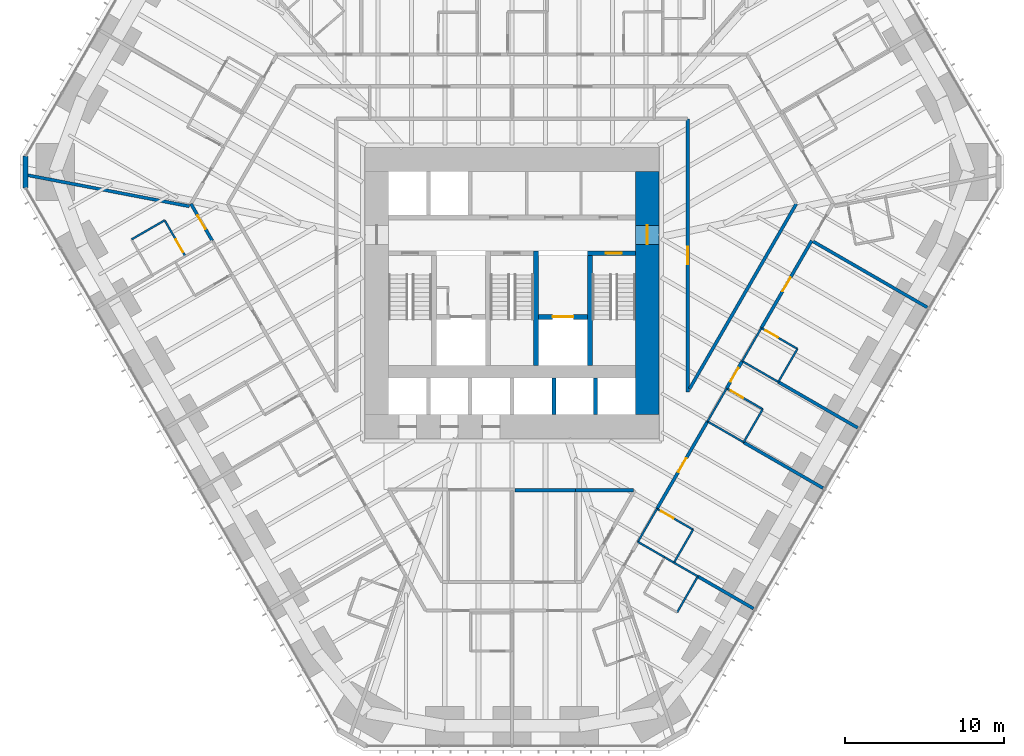
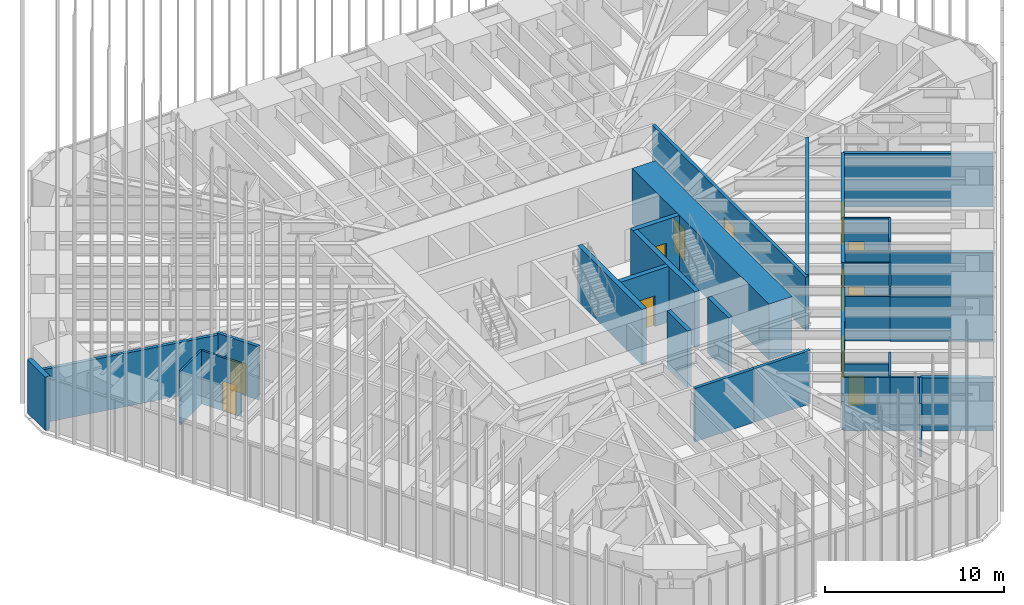
# One storey, part 252 of 256: 38 walls, 12 doors, 12 openings.
"""IFC4 building model written with IfcOpenShell, lengths in metres."""

from ifc_helpers import new_model, si_unit, direction, frame, frame_2d, origin, place, context, subcontext, project, spatial, rectangle, extrude, material, layer, layer_set, type_object, element, fill, save


model = new_model("IFC4")

# Units and contexts
model_context = context("Model", 3, precision=1e-05, world=origin(), true_north=direction((0.0, 1.0)))
body_context = subcontext(model_context, "Body", "Model", "MODEL_VIEW")
ifc_project = project(units=[si_unit("LENGTHUNIT", "METRE"), si_unit("AREAUNIT", "SQUARE_METRE"), si_unit("VOLUMEUNIT", "CUBIC_METRE"), si_unit("PLANEANGLEUNIT", "RADIAN"), si_unit("MASSUNIT", "GRAM", prefix="KILO")], contexts=[model_context])

# Site, building, storey
site_placement = place(None, origin())
site = spatial("IfcSite", under=ifc_project, at=site_placement, CompositionType="ELEMENT")
building_placement = place(site_placement, origin())
building = spatial("IfcBuilding", under=site, at=building_placement, Name="Sandreach Pilgrim Tower", CompositionType="ELEMENT")
storey_placement = place(building_placement, frame((0.0, 0.0, 23.0)))
storey = spatial("IfcBuildingStorey", under=building, at=storey_placement, Name="L04", CompositionType="ELEMENT", Elevation=23.0)

# Wall
ifc_material_1 = material(Name="Moisture-resistant gypsum board on steel studs", Category="steel")
ifc_layer_1 = layer(ifc_material_1, 0.1201171875)
ifc_layer_set_1 = layer_set([ifc_layer_1], Name="Bathroom partition 120")
wall_type_1 = type_object("IfcWallType", Name="Bathroom partition 120", PredefinedType="PARTITIONING", material=ifc_layer_set_1)
wall_1_placement = place(storey_placement, frame((-21.830078125, 3.02001953125, 0.0), z_axis=(0.0, 0.0, 1.0), x_axis=(-0.866177122335, -0.499737123639, 0.0)))
element("IfcWall", 1, at=wall_1_placement, inside=storey, type_object=wall_type_1, Name="Bathroom partition L04-006", PredefinedType="PARTITIONING", context=body_context, shape_type="SweptSolid", body=[
    extrude(rectangle(XDim=2.401123046875, YDim=0.1201171875, at=frame_2d((1.20068359375, 0.0))), origin(), (0.0, 0.0, 1.0), 3.639892578125),
])

# Wall, opening, door
wall_2_placement = place(storey_placement, frame((-20.530029296875, 0.77001953125, 0.0), z_axis=(0.0, 0.0, 1.0), x_axis=(-0.500291685314, 0.865856933682, 0.0)))
wall_2 = element("IfcWall", 2, at=wall_2_placement, inside=storey, type_object=wall_type_1, Name="Bathroom partition L04-010", PredefinedType="PARTITIONING", context=body_context, shape_type="SweptSolid", body=[
    extrude(rectangle(XDim=2.5986328125, YDim=0.1201171875, at=frame_2d((1.29931640625, 0.0))), origin(), (0.0, 0.0, 1.0), 3.639892578125),
])
opening_1_placement = place(wall_2_placement, frame((0.300048828125, 0.0, 0.0)))
opening_1 = element("IfcOpeningElement", 3, at=opening_1_placement, cuts=wall_2, Name="Opening D09-19B", PredefinedType="OPENING", context=body_context, shape_type="SweptSolid", body=[
    extrude(rectangle(XDim=0.89990234375, YDim=2.030029296875, at=frame_2d((0.449951171875, 1.01513671875))), frame((0.0, 0.06005859375, 0.0), z_axis=(0.0, -1.0, 0.0), x_axis=(1.0, 0.0, 0.0)), (0.0, 0.0, 1.0), 0.1201171875),
])
ifc_material_2 = material(Name="Timber door, steel frame", Category="steel")
door_type_1 = type_object("IfcDoorType", Name="Bathroom door", OperationType="SINGLE_SWING_LEFT", PredefinedType="DOOR", material=ifc_material_2)
door_1_placement = place(opening_1_placement, origin())
door_1 = element("IfcDoor", 4, at=door_1_placement, inside=storey, type_object=door_type_1, Name="Door 0419B", OperationType="SINGLE_SWING_LEFT", OverallHeight=2.030029296875, OverallWidth=0.89990234375, PredefinedType="DOOR", context=body_context, shape_type="SweptSolid", body=[
    extrude(rectangle(XDim=0.89990234375, YDim=2.030029296875, at=frame_2d((0.449951171875, 1.01513671875))), frame((0.0, 0.02490234375, 0.0), z_axis=(0.0, -1.0, 0.0), x_axis=(1.0, 0.0, 0.0)), (0.0, 0.0, 1.0), 0.050048828125),
])
fill(opening_1, door_1)

# Walls
wall_3_placement = place(storey_placement, frame((7.909912109375, -17.18994140625, 0.0), z_axis=(0.0, 0.0, 1.0), x_axis=(0.499737123639, 0.866177122335, 0.0)))
element("IfcWall", 5, at=wall_3_placement, inside=storey, type_object=wall_type_1, Name="Bathroom partition L04-107", PredefinedType="PARTITIONING", context=body_context, shape_type="SweptSolid", body=[
    extrude(rectangle(XDim=2.401123046875, YDim=0.1201171875, at=frame_2d((1.20068359375, 0.0))), origin(), (0.0, 0.0, 1.0), 3.639892578125),
])
wall_4_placement = place(storey_placement, frame((7.909912109375, -17.18994140625, 0.0), z_axis=(0.0, 0.0, 1.0), x_axis=(0.8673242112, -0.497743621421, 0.0)))
element("IfcWall", 6, at=wall_4_placement, inside=storey, type_object=wall_type_1, Name="Bathroom partition L04-108", PredefinedType="PARTITIONING", context=body_context, shape_type="SweptSolid", body=[
    extrude(rectangle(XDim=1.94873046875, YDim=0.1201171875, at=frame_2d((0.974365234375, 0.0))), origin(), (0.0, 0.0, 1.0), 3.639892578125),
])
wall_5_placement = place(storey_placement, frame((9.60009765625, -18.159912109375, 0.0), z_axis=(0.0, 0.0, 1.0), x_axis=(0.862577739272, -0.505924543497, 0.0)))
element("IfcWall", 7, at=wall_5_placement, inside=storey, type_object=wall_type_1, Name="Bathroom partition L04-123", PredefinedType="PARTITIONING", context=body_context, shape_type="SweptSolid", body=[
    extrude(rectangle(XDim=0.672119140625, YDim=0.1201171875, at=frame_2d((0.3359375, 0.0))), origin(), (0.0, 0.0, 1.0), 3.639892578125),
])
wall_6_placement = place(storey_placement, frame((10.179931640625, -18.5, 0.0), z_axis=(0.0, 0.0, 1.0), x_axis=(0.499693115345, 0.866202511239, 0.0)))
element("IfcWall", 8, at=wall_6_placement, inside=storey, type_object=wall_type_1, Name="Bathroom partition L04-124", PredefinedType="PARTITIONING", context=body_context, shape_type="SweptSolid", body=[
    extrude(rectangle(XDim=2.4013671875, YDim=0.1201171875, at=frame_2d((1.20068359375, 0.0))), origin(), (0.0, 0.0, 1.0), 3.639892578125),
])
wall_7_placement = place(storey_placement, frame((10.179931640625, -18.5, 0.0), z_axis=(0.0, 0.0, 1.0), x_axis=(0.867564547129, -0.497324598794, 0.0)))
element("IfcWall", 9, at=wall_7_placement, inside=storey, type_object=wall_type_1, Name="Bathroom partition L04-125", PredefinedType="PARTITIONING", context=body_context, shape_type="SweptSolid", body=[
    extrude(rectangle(XDim=1.72900390625, YDim=0.1201171875, at=frame_2d((0.864501953125, 0.0))), origin(), (0.0, 0.0, 1.0), 3.639892578125),
])
wall_8_placement = place(storey_placement, frame((10.3798828125, -21.6201171875, 0.0), z_axis=(0.0, 0.0, 1.0), x_axis=(0.498627694264, 0.866816256489, 0.0)))
element("IfcWall", 10, at=wall_8_placement, inside=storey, type_object=wall_type_1, Name="Bathroom partition L04-126", PredefinedType="PARTITIONING", context=body_context, shape_type="SweptSolid", body=[
    extrude(rectangle(XDim=2.607177734375, YDim=0.1201171875, at=frame_2d((1.3037109375, 0.0))), origin(), (0.0, 0.0, 1.0), 3.639892578125),
])

# Wall, opening, door
wall_9_placement = place(storey_placement, frame((11.3798828125, -16.419921875, 0.0), z_axis=(0.0, 0.0, 1.0), x_axis=(-0.866154567199, 0.49977621564, 0.0)))
wall_9 = element("IfcWall", 11, at=wall_9_placement, inside=storey, type_object=wall_type_1, Name="Bathroom partition L04-129", PredefinedType="PARTITIONING", context=body_context, shape_type="SweptSolid", body=[
    extrude(rectangle(XDim=2.620849609375, YDim=0.1201171875, at=frame_2d((1.310546875, 0.0))), origin(), (0.0, 0.0, 1.0), 2.8779296875),
])
opening_2_placement = place(wall_9_placement, frame((1.4208984375, 0.0, 0.0)))
opening_2 = element("IfcOpeningElement", 12, at=opening_2_placement, cuts=wall_9, Name="Opening D09-11B", PredefinedType="OPENING", context=body_context, shape_type="SweptSolid", body=[
    extrude(rectangle(XDim=0.89990234375, YDim=2.030029296875, at=frame_2d((0.449951171875, 1.01513671875))), frame((0.0, 0.06005859375, 0.0), z_axis=(0.0, -1.0, 0.0), x_axis=(1.0, 0.0, 0.0)), (0.0, 0.0, 1.0), 0.1201171875),
])
door_2_placement = place(opening_2_placement, origin())
door_2 = element("IfcDoor", 13, at=door_2_placement, inside=storey, type_object=door_type_1, Name="Door 0411B", OperationType="SINGLE_SWING_RIGHT", OverallHeight=2.030029296875, OverallWidth=0.89990234375, PredefinedType="DOOR", context=body_context, shape_type="SweptSolid", body=[
    extrude(rectangle(XDim=0.89990234375, YDim=2.030029296875, at=frame_2d((0.449951171875, 1.01513671875))), frame((0.0, 0.02490234375, 0.0), z_axis=(0.0, -1.0, 0.0), x_axis=(1.0, 0.0, 0.0)), (0.0, 0.0, 1.0), 0.050048828125),
])
fill(opening_2, door_2)

# Walls
wall_10_placement = place(storey_placement, frame((12.2900390625, -9.6201171875, 0.0), z_axis=(0.0, 0.0, 1.0), x_axis=(0.499693115345, 0.866202511239, 0.0)))
element("IfcWall", 14, at=wall_10_placement, inside=storey, type_object=wall_type_1, Name="Bathroom partition L04-134", PredefinedType="PARTITIONING", context=body_context, shape_type="SweptSolid", body=[
    extrude(rectangle(XDim=2.4013671875, YDim=0.1201171875, at=frame_2d((1.20068359375, 0.0))), origin(), (0.0, 0.0, 1.0), 3.639892578125),
])
wall_11_placement = place(storey_placement, frame((12.2900390625, -9.6201171875, 0.0), z_axis=(0.0, 0.0, 1.0), x_axis=(0.865987003449, -0.500066505434, 0.0)))
element("IfcWall", 15, at=wall_11_placement, inside=storey, type_object=wall_type_1, Name="Bathroom partition L04-135", PredefinedType="PARTITIONING", context=body_context, shape_type="SweptSolid", body=[
    extrude(rectangle(XDim=2.620849609375, YDim=0.1201171875, at=frame_2d((1.310546875, 0.0))), origin(), (0.0, 0.0, 1.0), 3.0380859375),
])
wall_12_placement = place(storey_placement, frame((14.469970703125, -5.830078125, 0.0), z_axis=(0.0, 0.0, 1.0), x_axis=(0.499693115345, 0.866202511239, 0.0)))
element("IfcWall", 16, at=wall_12_placement, inside=storey, type_object=wall_type_1, Name="Bathroom partition L04-138", PredefinedType="PARTITIONING", context=body_context, shape_type="SweptSolid", body=[
    extrude(rectangle(XDim=2.4013671875, YDim=0.1201171875, at=frame_2d((1.20068359375, 0.0))), origin(), (0.0, 0.0, 1.0), 3.639892578125),
])
wall_13_placement = place(storey_placement, frame((14.469970703125, -5.830078125, 0.0), z_axis=(0.0, 0.0, 1.0), x_axis=(0.866010296064, -0.500026166427, 0.0)))
element("IfcWall", 17, at=wall_13_placement, inside=storey, type_object=wall_type_1, Name="Bathroom partition L04-139", PredefinedType="PARTITIONING", context=body_context, shape_type="SweptSolid", body=[
    extrude(rectangle(XDim=2.620849609375, YDim=0.1201171875, at=frame_2d((1.310546875, 0.0))), origin(), (0.0, 0.0, 1.0), 3.022705078125),
])
wall_14_placement = place(storey_placement, frame((14.56005859375, -10.929931640625, 0.0), z_axis=(0.0, 0.0, 1.0), x_axis=(0.499737123639, 0.866177122335, 0.0)))
element("IfcWall", 18, at=wall_14_placement, inside=storey, type_object=wall_type_1, Name="Bathroom partition L04-141", PredefinedType="PARTITIONING", context=body_context, shape_type="SweptSolid", body=[
    extrude(rectangle(XDim=2.401123046875, YDim=0.1201171875, at=frame_2d((1.20068359375, 0.0))), origin(), (0.0, 0.0, 1.0), 3.639892578125),
])

# Wall, opening, door
wall_15_placement = place(storey_placement, frame((15.760009765625, -8.85009765625, 0.0), z_axis=(0.0, 0.0, 1.0), x_axis=(-0.866114241029, 0.499846097802, 0.0)))
wall_15 = element("IfcWall", 19, at=wall_15_placement, inside=storey, type_object=wall_type_1, Name="Bathroom partition L04-145", PredefinedType="PARTITIONING", context=body_context, shape_type="SweptSolid", body=[
    extrude(rectangle(XDim=2.620849609375, YDim=0.1201171875, at=frame_2d((1.310546875, 0.0))), origin(), (0.0, 0.0, 1.0), 3.639892578125),
])
opening_3_placement = place(wall_15_placement, frame((1.4208984375, 0.0, 0.0)))
opening_3 = element("IfcOpeningElement", 20, at=opening_3_placement, cuts=wall_15, Name="Opening D09-10B", PredefinedType="OPENING", context=body_context, shape_type="SweptSolid", body=[
    extrude(rectangle(XDim=0.89990234375, YDim=2.030029296875, at=frame_2d((0.449951171875, 1.01513671875))), frame((0.0, 0.06005859375, 0.0), z_axis=(0.0, -1.0, 0.0), x_axis=(1.0, 0.0, 0.0)), (0.0, 0.0, 1.0), 0.1201171875),
])
door_3_placement = place(opening_3_placement, origin())
door_3 = element("IfcDoor", 21, at=door_3_placement, inside=storey, type_object=door_type_1, Name="Door 0410B", OperationType="SINGLE_SWING_RIGHT", OverallHeight=2.030029296875, OverallWidth=0.89990234375, PredefinedType="DOOR", context=body_context, shape_type="SweptSolid", body=[
    extrude(rectangle(XDim=0.89990234375, YDim=2.030029296875, at=frame_2d((0.449951171875, 1.01513671875))), frame((0.0, 0.02490234375, 0.0), z_axis=(0.0, -1.0, 0.0), x_axis=(1.0, 0.0, 0.0)), (0.0, 0.0, 1.0), 0.050048828125),
])
fill(opening_3, door_3)

# Wall
wall_16_placement = place(storey_placement, frame((16.739990234375, -7.139892578125, 0.0), z_axis=(0.0, 0.0, 1.0), x_axis=(0.499737123639, 0.866177122335, 0.0)))
element("IfcWall", 22, at=wall_16_placement, inside=storey, type_object=wall_type_1, Name="Bathroom partition L04-147", PredefinedType="PARTITIONING", context=body_context, shape_type="SweptSolid", body=[
    extrude(rectangle(XDim=2.401123046875, YDim=0.1201171875, at=frame_2d((1.20068359375, 0.0))), origin(), (0.0, 0.0, 1.0), 3.639892578125),
])

# Wall, opening, door
wall_17_placement = place(storey_placement, frame((17.93994140625, -5.06005859375, 0.0), z_axis=(0.0, 0.0, 1.0), x_axis=(-0.866114241029, 0.499846097802, 0.0)))
wall_17 = element("IfcWall", 23, at=wall_17_placement, inside=storey, type_object=wall_type_1, Name="Bathroom partition L04-153", PredefinedType="PARTITIONING", context=body_context, shape_type="SweptSolid", body=[
    extrude(rectangle(XDim=2.620849609375, YDim=0.1201171875, at=frame_2d((1.310546875, 0.0))), origin(), (0.0, 0.0, 1.0), 3.639892578125),
])
opening_4_placement = place(wall_17_placement, frame((1.4208984375, 0.0, 0.0)))
opening_4 = element("IfcOpeningElement", 24, at=opening_4_placement, cuts=wall_17, Name="Opening D09-09B", PredefinedType="OPENING", context=body_context, shape_type="SweptSolid", body=[
    extrude(rectangle(XDim=0.89990234375, YDim=2.030029296875, at=frame_2d((0.449951171875, 1.01513671875))), frame((0.0, 0.06005859375, 0.0), z_axis=(0.0, -1.0, 0.0), x_axis=(1.0, 0.0, 0.0)), (0.0, 0.0, 1.0), 0.1201171875),
])
door_4_placement = place(opening_4_placement, origin())
door_4 = element("IfcDoor", 25, at=door_4_placement, inside=storey, type_object=door_type_1, Name="Door 0409B", OperationType="SINGLE_SWING_RIGHT", OverallHeight=2.030029296875, OverallWidth=0.89990234375, PredefinedType="DOOR", context=body_context, shape_type="SweptSolid", body=[
    extrude(rectangle(XDim=0.89990234375, YDim=2.030029296875, at=frame_2d((0.449951171875, 1.01513671875))), frame((0.0, 0.02490234375, 0.0), z_axis=(0.0, -1.0, 0.0), x_axis=(1.0, 0.0, 0.0)), (0.0, 0.0, 1.0), 0.050048828125),
])
fill(opening_4, door_4)

# Walls
ifc_material_3 = material(Name="Concrete 10000 psi", Category="concrete")
ifc_layer_2 = layer(ifc_material_3, 0.300048828125)
ifc_layer_set_2 = layer_set([ifc_layer_2], Name="Core inner wall 300")
wall_type_2 = type_object("IfcWallType", Name="Core inner wall 300", PredefinedType="SHEAR", material=ifc_layer_set_2)
for number, where, z_axis, x_axis, name in (
    (26, (1.5, -6.10009765625, 0.0), (0.0, 0.0, 1.0), (0.0, 1.0, 0.0), "Core wall I2 L04"),
    (27, (4.89990234375, -6.10009765625, 0.0), (0.0, 0.0, 1.0), (0.0, 1.0, 0.0), "Core wall I3 L04"),
):
    element("IfcWall", number, at=place(storey_placement, frame(where, z_axis=z_axis, x_axis=x_axis)), inside=storey, type_object=wall_type_2, Name=name, PredefinedType="SHEAR", context=body_context, shape_type="SweptSolid", body=[
        extrude(rectangle(XDim=7.2001953125, YDim=0.300048828125, at=frame_2d((3.60009765625, 0.0))), origin(), (0.0, 0.0, 1.0), 3.800048828125),
    ])

# Wall, opening, door
wall_18_placement = place(storey_placement, frame((4.75, 0.949951171875, 0.0), z_axis=(0.0, 0.0, 1.0), x_axis=(1.0, 0.0, 0.0)))
wall_18 = element("IfcWall", 28, at=wall_18_placement, inside=storey, type_object=wall_type_2, Name="Core wall SN2 L04", PredefinedType="SHEAR", context=body_context, shape_type="SweptSolid", body=[
    extrude(rectangle(XDim=3.0, YDim=0.300048828125, at=frame_2d((1.5, 0.0))), origin(), (0.0, 0.0, 1.0), 3.800048828125),
])
opening_5_placement = place(wall_18_placement, frame((1.14990234375, 0.0, 0.0)))
opening_5 = element("IfcOpeningElement", 29, at=opening_5_placement, cuts=wall_18, Name="Opening D10S-ST2", PredefinedType="OPENING", context=body_context, shape_type="SweptSolid", body=[
    extrude(rectangle(XDim=1.0, YDim=2.199951171875, at=frame_2d((0.5, 1.10009765625))), frame((0.0, 0.14990234375, 0.0), z_axis=(0.0, -1.0, 0.0), x_axis=(1.0, 0.0, 0.0)), (0.0, 0.0, 1.0), 0.300048828125),
])
ifc_material_4 = material(Name="Steel door and frame", Category="steel")
door_type_2 = type_object("IfcDoorType", Name="Stair door", OperationType="SINGLE_SWING_LEFT", PredefinedType="DOOR", material=ifc_material_4)
door_5_placement = place(opening_5_placement, origin())
door_5 = element("IfcDoor", 30, at=door_5_placement, inside=storey, type_object=door_type_2, Name="Stair door ST2 L04", OperationType="SINGLE_SWING_RIGHT", OverallHeight=2.199951171875, OverallWidth=1.0, PredefinedType="DOOR", context=body_context, shape_type="SweptSolid", body=[
    extrude(rectangle(XDim=1.0, YDim=2.199951171875, at=frame_2d((0.5, 1.10009765625))), frame((0.0, 0.02490234375, 0.0), z_axis=(0.0, -1.0, 0.0), x_axis=(1.0, 0.0, 0.0)), (0.0, 0.0, 1.0), 0.050048828125),
])
fill(opening_5, door_5)

wall_19_placement = place(storey_placement, frame((1.64990234375, -3.050048828125, 0.0), z_axis=(0.0, 0.0, 1.0), x_axis=(1.0, 0.0, 0.0)))
wall_19 = element("IfcWall", 31, at=wall_19_placement, inside=storey, type_object=wall_type_2, Name="Core wall FL2 L04", PredefinedType="SHEAR", context=body_context, shape_type="SweptSolid", body=[
    extrude(rectangle(XDim=3.10009765625, YDim=0.300048828125, at=frame_2d((1.550048828125, 0.0))), origin(), (0.0, 0.0, 1.0), 3.800048828125),
])
opening_6_placement = place(wall_19_placement, frame((0.89990234375, 0.0, 0.0)))
opening_6 = element("IfcOpeningElement", 32, at=opening_6_placement, cuts=wall_19, Name="Opening LD13", PredefinedType="OPENING", context=body_context, shape_type="SweptSolid", body=[
    extrude(rectangle(XDim=1.300048828125, YDim=2.10009765625, at=frame_2d((0.64990234375, 1.050048828125))), frame((0.0, 0.14990234375, 0.0), z_axis=(0.0, -1.0, 0.0), x_axis=(1.0, 0.0, 0.0)), (0.0, 0.0, 1.0), 0.300048828125),
])
ifc_material_5 = material(Name="Steel door and frame", Category="steel")
door_type_3 = type_object("IfcDoorType", Name="Fire service lift landing door", OperationType="DOUBLE_DOOR_SLIDING", PredefinedType="DOOR", material=ifc_material_5)
door_6_placement = place(opening_6_placement, origin())
door_6 = element("IfcDoor", 33, at=door_6_placement, inside=storey, type_object=door_type_3, Name="Lift landing door FS2 L04", OperationType="DOUBLE_DOOR_SLIDING", OverallHeight=2.10009765625, OverallWidth=1.300048828125, PredefinedType="DOOR", context=body_context, shape_type="SweptSolid", body=[
    extrude(rectangle(XDim=1.300048828125, YDim=2.10009765625, at=frame_2d((0.64990234375, 1.050048828125))), frame((0.0, 0.02490234375, 0.0), z_axis=(0.0, -1.0, 0.0), x_axis=(1.0, 0.0, 0.0)), (0.0, 0.0, 1.0), 0.050048828125),
])
fill(opening_6, door_6)

ifc_material_6 = material(Name="Concrete 10000 psi", Category="concrete")
ifc_layer_3 = layer(ifc_material_6, 1.5)
ifc_layer_set_3 = layer_set([ifc_layer_3], Name="Core wall 1500")
wall_type_3 = type_object("IfcWallType", Name="Core wall 1500", PredefinedType="SHEAR", material=ifc_layer_set_3)
wall_20_placement = place(storey_placement, frame((8.5, -9.199951171875, 0.0), z_axis=(0.0, 0.0, 1.0), x_axis=(0.0, 1.0, 0.0)))
wall_20 = element("IfcWall", 34, at=wall_20_placement, inside=storey, type_object=wall_type_3, Name="Core wall E L04", PredefinedType="SHEAR", context=body_context, shape_type="SweptSolid", body=[
    extrude(rectangle(XDim=15.300048828125, YDim=1.5, at=frame_2d((7.64990234375, 0.0))), origin(), (0.0, 0.0, 1.0), 3.800048828125),
])
opening_7_placement = place(wall_20_placement, frame((10.699951171875, 0.0, 0.0)))
opening_7 = element("IfcOpeningElement", 35, at=opening_7_placement, cuts=wall_20, Name="Opening D12F-E", PredefinedType="OPENING", context=body_context, shape_type="SweptSolid", body=[
    extrude(rectangle(XDim=1.199951171875, YDim=2.199951171875, at=frame_2d((0.60009765625, 1.10009765625))), frame((0.0, 0.75, 0.0), z_axis=(0.0, -1.0, 0.0), x_axis=(1.0, 0.0, 0.0)), (0.0, 0.0, 1.0), 1.5),
])
ifc_material_7 = material(Name="Steel door and frame", Category="steel")
door_type_4 = type_object("IfcDoorType", Name="Fire lobby door", OperationType="SINGLE_SWING_LEFT", PredefinedType="DOOR", material=ifc_material_7)
door_7_placement = place(opening_7_placement, origin())
door_7 = element("IfcDoor", 36, at=door_7_placement, inside=storey, type_object=door_type_4, Name="Fire service lobby door E L04", OperationType="SINGLE_SWING_RIGHT", OverallHeight=2.199951171875, OverallWidth=1.199951171875, PredefinedType="DOOR", context=body_context, shape_type="SweptSolid", body=[
    extrude(rectangle(XDim=1.199951171875, YDim=2.199951171875, at=frame_2d((0.60009765625, 1.10009765625))), frame((0.0, 0.02490234375, 0.0), z_axis=(0.0, -1.0, 0.0), x_axis=(1.0, 0.0, 0.0)), (0.0, 0.0, 1.0), 0.050048828125),
])
fill(opening_7, door_7)

ifc_material_8 = material(Name="Gypsum board on steel studs, two layers each side", Category="steel")
ifc_layer_4 = layer(ifc_material_8, 0.199951171875)
ifc_layer_set_4 = layer_set([ifc_layer_4], Name="Corridor wall 200")
wall_type_4 = type_object("IfcWallType", Name="Corridor wall 200", PredefinedType="PARTITIONING", material=ifc_layer_set_4)
wall_21_placement = place(storey_placement, frame((-20.179931640625, 4.06005859375, 0.0), z_axis=(0.0, 0.0, 1.0), x_axis=(0.500098439427, -0.865968562295, 0.0)))
wall_21 = element("IfcWall", 37, at=wall_21_placement, inside=storey, type_object=wall_type_4, Name="Corridor wall L04-014", PredefinedType="PARTITIONING", context=body_context, shape_type="SweptSolid", body=[
    extrude(rectangle(XDim=2.67919921875, YDim=0.199951171875, at=frame_2d((1.339599609375, 0.0))), origin(), (0.0, 0.0, 1.0), 3.639892578125),
])
opening_8_placement = place(wall_21_placement, frame((0.839599609375, 0.0, 0.0)))
opening_8 = element("IfcOpeningElement", 38, at=opening_8_placement, cuts=wall_21, Name="Opening D10-19", PredefinedType="OPENING", context=body_context, shape_type="SweptSolid", body=[
    extrude(rectangle(XDim=1.0, YDim=2.1298828125, at=frame_2d((0.5, 1.06494140625))), frame((0.0, 0.10009765625, 0.0), z_axis=(0.0, -1.0, 0.0), x_axis=(1.0, 0.0, 0.0)), (0.0, 0.0, 1.0), 0.199951171875),
])
ifc_material_9 = material(Name="Steel door and frame", Category="steel")
door_type_5 = type_object("IfcDoorType", Name="Guest room entry door", OperationType="SINGLE_SWING_LEFT", PredefinedType="DOOR", material=ifc_material_9)
door_8_placement = place(opening_8_placement, origin())
door_8 = element("IfcDoor", 39, at=door_8_placement, inside=storey, type_object=door_type_5, Name="Door 0419", OperationType="SINGLE_SWING_LEFT", OverallHeight=2.1298828125, OverallWidth=1.0, PredefinedType="DOOR", context=body_context, shape_type="SweptSolid", body=[
    extrude(rectangle(XDim=1.0, YDim=2.1298828125, at=frame_2d((0.5, 1.06494140625))), frame((0.0, 0.02490234375, 0.0), z_axis=(0.0, -1.0, 0.0), x_axis=(1.0, 0.0, 0.0)), (0.0, 0.0, 1.0), 0.050048828125),
])
fill(opening_8, door_8)

# Walls
wall_22_placement = place(storey_placement, frame((0.179931640625, -13.949951171875, 0.0), z_axis=(0.0, 0.0, 1.0), x_axis=(1.0, 0.0, 0.0)))
element("IfcWall", 40, at=wall_22_placement, inside=storey, type_object=wall_type_4, Name="Corridor wall L04-087", PredefinedType="PARTITIONING", context=body_context, shape_type="SweptSolid", body=[
    extrude(rectangle(XDim=3.820068359375, YDim=0.199951171875, at=frame_2d((1.91015625, 0.0))), origin(), (0.0, 0.0, 1.0), 3.639892578125),
])
wall_23_placement = place(storey_placement, frame((4.0, -13.949951171875, 0.0), z_axis=(0.0, 0.0, 1.0), x_axis=(1.0, 0.0, 0.0)))
element("IfcWall", 41, at=wall_23_placement, inside=storey, type_object=wall_type_4, Name="Corridor wall L04-095", PredefinedType="PARTITIONING", context=body_context, shape_type="SweptSolid", body=[
    extrude(rectangle(XDim=3.635009765625, YDim=0.199951171875, at=frame_2d((1.8173828125, 0.0))), origin(), (0.0, 0.0, 1.0), 3.639892578125),
])

# Wall, opening, door
wall_24_placement = place(storey_placement, frame((9.110107421875, -15.110107421875, 0.0), z_axis=(0.0, 0.0, 1.0), x_axis=(0.500872436665, 0.86552111597, 0.0)))
wall_24 = element("IfcWall", 42, at=wall_24_placement, inside=storey, type_object=wall_type_4, Name="Corridor wall L04-114", PredefinedType="PARTITIONING", context=body_context, shape_type="SweptSolid", body=[
    extrude(rectangle(XDim=6.344482421875, YDim=0.199951171875, at=frame_2d((3.17236328125, 0.0))), origin(), (0.0, 0.0, 1.0), 3.639892578125),
])
opening_9_placement = place(wall_24_placement, frame((2.67236328125, 0.0, 0.0)))
opening_9 = element("IfcOpeningElement", 43, at=opening_9_placement, cuts=wall_24, Name="Opening D10-11", PredefinedType="OPENING", context=body_context, shape_type="SweptSolid", body=[
    extrude(rectangle(XDim=1.0, YDim=2.1298828125, at=frame_2d((0.5, 1.06494140625))), frame((0.0, 0.10009765625, 0.0), z_axis=(0.0, -1.0, 0.0), x_axis=(1.0, 0.0, 0.0)), (0.0, 0.0, 1.0), 0.199951171875),
])
door_9_placement = place(opening_9_placement, origin())
door_9 = element("IfcDoor", 44, at=door_9_placement, inside=storey, type_object=door_type_5, Name="Door 0411", OperationType="SINGLE_SWING_LEFT", OverallHeight=2.1298828125, OverallWidth=1.0, PredefinedType="DOOR", context=body_context, shape_type="SweptSolid", body=[
    extrude(rectangle(XDim=1.0, YDim=2.1298828125, at=frame_2d((0.5, 1.06494140625))), frame((0.0, 0.02490234375, 0.0), z_axis=(0.0, -1.0, 0.0), x_axis=(1.0, 0.0, 0.0)), (0.0, 0.0, 1.0), 0.050048828125),
])
fill(opening_9, door_9)

wall_25_placement = place(storey_placement, frame((11.050048828125, -7.760009765625, 0.0), z_axis=(0.0, 0.0, 1.0), x_axis=(0.0, 1.0, 0.0)))
wall_25 = element("IfcWall", 45, at=wall_25_placement, inside=storey, type_object=wall_type_4, Name="Corridor wall L04-128", PredefinedType="PARTITIONING", context=body_context, shape_type="SweptSolid", body=[
    extrude(rectangle(XDim=17.159912109375, YDim=0.199951171875, at=frame_2d((8.580078125, 0.0))), origin(), (0.0, 0.0, 1.0), 3.639892578125),
])
opening_10_placement = place(wall_25_placement, frame((8.030029296875, 0.0, 0.0)))
opening_10 = element("IfcOpeningElement", 46, at=opening_10_placement, cuts=wall_25, Name="Opening D11H-M04", PredefinedType="OPENING", context=body_context, shape_type="SweptSolid", body=[
    extrude(rectangle(XDim=1.10009765625, YDim=2.199951171875, at=frame_2d((0.550048828125, 1.10009765625))), frame((0.0, 0.10009765625, 0.0), z_axis=(0.0, -1.0, 0.0), x_axis=(1.0, 0.0, 0.0)), (0.0, 0.0, 1.0), 0.199951171875),
])
ifc_material_10 = material(Name="Steel door and frame", Category="steel")
door_type_6 = type_object("IfcDoorType", Name="Back of house door", OperationType="SINGLE_SWING_LEFT", PredefinedType="DOOR", material=ifc_material_10)
door_10_placement = place(opening_10_placement, origin())
door_10 = element("IfcDoor", 47, at=door_10_placement, inside=storey, type_object=door_type_6, Name="Door 04M04", OperationType="SINGLE_SWING_LEFT", OverallHeight=2.199951171875, OverallWidth=1.10009765625, PredefinedType="DOOR", context=body_context, shape_type="SweptSolid", body=[
    extrude(rectangle(XDim=1.10009765625, YDim=2.199951171875, at=frame_2d((0.550048828125, 1.10009765625))), frame((0.0, 0.02490234375, 0.0), z_axis=(0.0, -1.0, 0.0), x_axis=(1.0, 0.0, 0.0)), (0.0, 0.0, 1.0), 0.050048828125),
])
fill(opening_10, door_10)

wall_26_placement = place(storey_placement, frame((13.48876953125, -7.539306640625, 0.0), z_axis=(0.0, 0.0, 1.0), x_axis=(0.4978588916, 0.867258049288, 0.0)))
wall_26 = element("IfcWall", 48, at=wall_26_placement, inside=storey, type_object=wall_type_4, Name="Corridor wall L04-136", PredefinedType="PARTITIONING", context=body_context, shape_type="SweptSolid", body=[
    extrude(rectangle(XDim=1.970947265625, YDim=0.199951171875, at=frame_2d((0.9853515625, 0.0))), origin(), (0.0, 0.0, 1.0), 3.639892578125),
])
opening_11_placement = place(wall_26_placement, frame((0.485595703125, 0.0, 0.0)))
opening_11 = element("IfcOpeningElement", 49, at=opening_11_placement, cuts=wall_26, Name="Opening D10-10", PredefinedType="OPENING", context=body_context, shape_type="SweptSolid", body=[
    extrude(rectangle(XDim=1.0, YDim=2.1298828125, at=frame_2d((0.5, 1.06494140625))), frame((0.0, 0.10009765625, 0.0), z_axis=(0.0, -1.0, 0.0), x_axis=(1.0, 0.0, 0.0)), (0.0, 0.0, 1.0), 0.199951171875),
])
door_11_placement = place(opening_11_placement, origin())
door_11 = element("IfcDoor", 50, at=door_11_placement, inside=storey, type_object=door_type_5, Name="Door 0410", OperationType="SINGLE_SWING_LEFT", OverallHeight=2.1298828125, OverallWidth=1.0, PredefinedType="DOOR", context=body_context, shape_type="SweptSolid", body=[
    extrude(rectangle(XDim=1.0, YDim=2.1298828125, at=frame_2d((0.5, 1.06494140625))), frame((0.0, 0.02490234375, 0.0), z_axis=(0.0, -1.0, 0.0), x_axis=(1.0, 0.0, 0.0)), (0.0, 0.0, 1.0), 0.050048828125),
])
fill(opening_11, door_11)

wall_27_placement = place(storey_placement, frame((15.669921875, -3.75, 0.0), z_axis=(0.0, 0.0, 1.0), x_axis=(0.500061360627, 0.865989974311, 0.0)))
wall_27 = element("IfcWall", 51, at=wall_27_placement, inside=storey, type_object=wall_type_4, Name="Corridor wall L04-144", PredefinedType="PARTITIONING", context=body_context, shape_type="SweptSolid", body=[
    extrude(rectangle(XDim=6.339599609375, YDim=0.199951171875, at=frame_2d((3.169921875, 0.0))), origin(), (0.0, 0.0, 1.0), 3.639892578125),
])
opening_12_placement = place(wall_27_placement, frame((2.669921875, 0.0, 0.0)))
opening_12 = element("IfcOpeningElement", 52, at=opening_12_placement, cuts=wall_27, Name="Opening D10-09", PredefinedType="OPENING", context=body_context, shape_type="SweptSolid", body=[
    extrude(rectangle(XDim=1.0, YDim=2.1298828125, at=frame_2d((0.5, 1.06494140625))), frame((0.0, 0.10009765625, 0.0), z_axis=(0.0, -1.0, 0.0), x_axis=(1.0, 0.0, 0.0)), (0.0, 0.0, 1.0), 0.199951171875),
])
door_12_placement = place(opening_12_placement, origin())
door_12 = element("IfcDoor", 53, at=door_12_placement, inside=storey, type_object=door_type_5, Name="Door 0409", OperationType="SINGLE_SWING_LEFT", OverallHeight=2.1298828125, OverallWidth=1.0, PredefinedType="DOOR", context=body_context, shape_type="SweptSolid", body=[
    extrude(rectangle(XDim=1.0, YDim=2.1298828125, at=frame_2d((0.5, 1.06494140625))), frame((0.0, 0.02490234375, 0.0), z_axis=(0.0, -1.0, 0.0), x_axis=(1.0, 0.0, 0.0)), (0.0, 0.0, 1.0), 0.050048828125),
])
fill(opening_12, door_12)

# Walls
wall_28_placement = place(storey_placement, frame((17.8701171875, 4.06005859375, 0.0), z_axis=(0.0, 0.0, 1.0), x_axis=(-0.499769659837, -0.866158349903, 0.0)))
element("IfcWall", 54, at=wall_28_placement, inside=storey, type_object=wall_type_4, Name="Corridor wall L04-152", PredefinedType="PARTITIONING", context=body_context, shape_type="SweptSolid", body=[
    extrude(rectangle(XDim=13.431396484375, YDim=0.199951171875, at=frame_2d((6.7158203125, 0.0))), origin(), (0.0, 0.0, 1.0), 3.639892578125),
])
ifc_material_11 = material(Name="Double steel stud acoustic wall, gypsum board", Category="steel")
ifc_layer_5 = layer(ifc_material_11, 0.199951171875)
ifc_layer_set_5 = layer_set([ifc_layer_5], Name="Party wall 200")
wall_type_5 = type_object("IfcWallType", Name="Party wall 200", PredefinedType="PARTITIONING", material=ifc_layer_set_5)
wall_29_placement = place(storey_placement, frame((-30.590576171875, 5.88427734375, 0.0), z_axis=(0.0, 0.0, 1.0), x_axis=(0.981987542287, -0.188945671541, 0.0)))
element("IfcWall", 55, at=wall_29_placement, inside=storey, type_object=wall_type_5, Name="Party wall L04-001", PredefinedType="PARTITIONING", context=body_context, shape_type="SweptSolid", body=[
    extrude(rectangle(XDim=10.503662109375, YDim=0.199951171875, at=frame_2d((5.251953125, 0.0))), origin(), (0.0, 0.0, 1.0), 3.639892578125),
])
wall_30_placement = place(storey_placement, frame((11.679931640625, -19.360107421875, 0.0), z_axis=(0.0, 0.0, 1.0), x_axis=(0.865885444553, -0.500242338183, 0.0)))
element("IfcWall", 56, at=wall_30_placement, inside=storey, type_object=wall_type_5, Name="Party wall L04-131", PredefinedType="PARTITIONING", context=body_context, shape_type="SweptSolid", body=[
    extrude(rectangle(XDim=4.03759765625, YDim=0.199951171875, at=frame_2d((2.018798828125, 0.0))), origin(), (0.0, 0.0, 1.0), 3.639892578125),
])
wall_31_placement = place(storey_placement, frame((14.5595703125, -10.9306640625, 0.0), z_axis=(0.0, 0.0, 1.0), x_axis=(0.865995646508, -0.500051537573, 0.0)))
element("IfcWall", 57, at=wall_31_placement, inside=storey, type_object=wall_type_5, Name="Party wall L04-140", PredefinedType="PARTITIONING", context=body_context, shape_type="SweptSolid", body=[
    extrude(rectangle(XDim=5.75830078125, YDim=0.199951171875, at=frame_2d((2.879150390625, 0.0))), origin(), (0.0, 0.0, 1.0), 3.0380859375),
])
wall_32_placement = place(storey_placement, frame((16.73974609375, -7.140625, 0.0), z_axis=(0.0, 0.0, 1.0), x_axis=(0.865985044037, -0.500069898618, 0.0)))
element("IfcWall", 58, at=wall_32_placement, inside=storey, type_object=wall_type_5, Name="Party wall L04-146", PredefinedType="PARTITIONING", context=body_context, shape_type="SweptSolid", body=[
    extrude(rectangle(XDim=5.758056640625, YDim=0.199951171875, at=frame_2d((2.87890625, 0.0))), origin(), (0.0, 0.0, 1.0), 3.022705078125),
])
wall_33_placement = place(storey_placement, frame((26.09619140625, -2.449951171875, 0.0), z_axis=(0.0, 0.0, 1.0), x_axis=(-0.866002919298, 0.500038942252, 0.0)))
element("IfcWall", 59, at=wall_33_placement, inside=storey, type_object=wall_type_5, Name="Party wall L04-170", PredefinedType="PARTITIONING", context=body_context, shape_type="SweptSolid", body=[
    extrude(rectangle(XDim=8.368896484375, YDim=0.199951171875, at=frame_2d((4.1845703125, 0.0))), origin(), (0.0, 0.0, 1.0), 3.639892578125),
])
ifc_material_12 = material(Name="Gypsum shaft wall on steel studs, two layers of shaft liner board", Category="steel")
ifc_layer_6 = layer(ifc_material_12, 0.25)
ifc_layer_set_6 = layer_set([ifc_layer_6], Name="Shaft partition 250")
wall_type_6 = type_object("IfcWallType", Name="Shaft partition 250", PredefinedType="PARTITIONING", material=ifc_layer_set_6)
for number, where, z_axis, x_axis, name in (
    (60, (2.625, -9.199951171875, 0.0), (0.0, 0.0, 1.0), (0.0, 1.0, 0.0), "Shaft partition XS3 L04"),
    (61, (5.25, -9.199951171875, 0.0), (0.0, 0.0, 1.0), (0.0, 1.0, 0.0), "Shaft partition XS4 L04"),
):
    element("IfcWall", number, at=place(storey_placement, frame(where, z_axis=z_axis, x_axis=x_axis)), inside=storey, type_object=wall_type_6, Name=name, PredefinedType="PARTITIONING", context=body_context, shape_type="SweptSolid", body=[
        extrude(rectangle(XDim=2.300048828125, YDim=0.25, at=frame_2d((1.14990234375, 0.0))), origin(), (0.0, 0.0, 1.0), 3.800048828125),
    ])
ifc_material_13 = material(Name="Terracotta rainscreen on concrete", Category="masonry")
ifc_layer_7 = layer(ifc_material_13, 0.300048828125)
ifc_layer_set_7 = layer_set([ifc_layer_7], Name="Terracotta chamfer pier")
wall_type_7 = type_object("IfcWallType", Name="Terracotta chamfer pier", PredefinedType="SOLIDWALL", material=ifc_layer_set_7)
wall_34_placement = place(storey_placement, frame((-30.576171875, 5.062255859375, 0.0), z_axis=(0.0, 0.0, 1.0), x_axis=(0.0, 1.0, 0.0)))
element("IfcWall", 62, at=wall_34_placement, inside=storey, type_object=wall_type_7, Name="Chamfer pier L04 SW", PredefinedType="SOLIDWALL", context=body_context, shape_type="SweptSolid", body=[
    extrude(rectangle(XDim=2.0, YDim=0.300048828125, at=frame_2d((1.0, 0.0))), origin(), (0.0, 0.0, 1.0), 3.639892578125),
])

save(model, "model.ifc")
